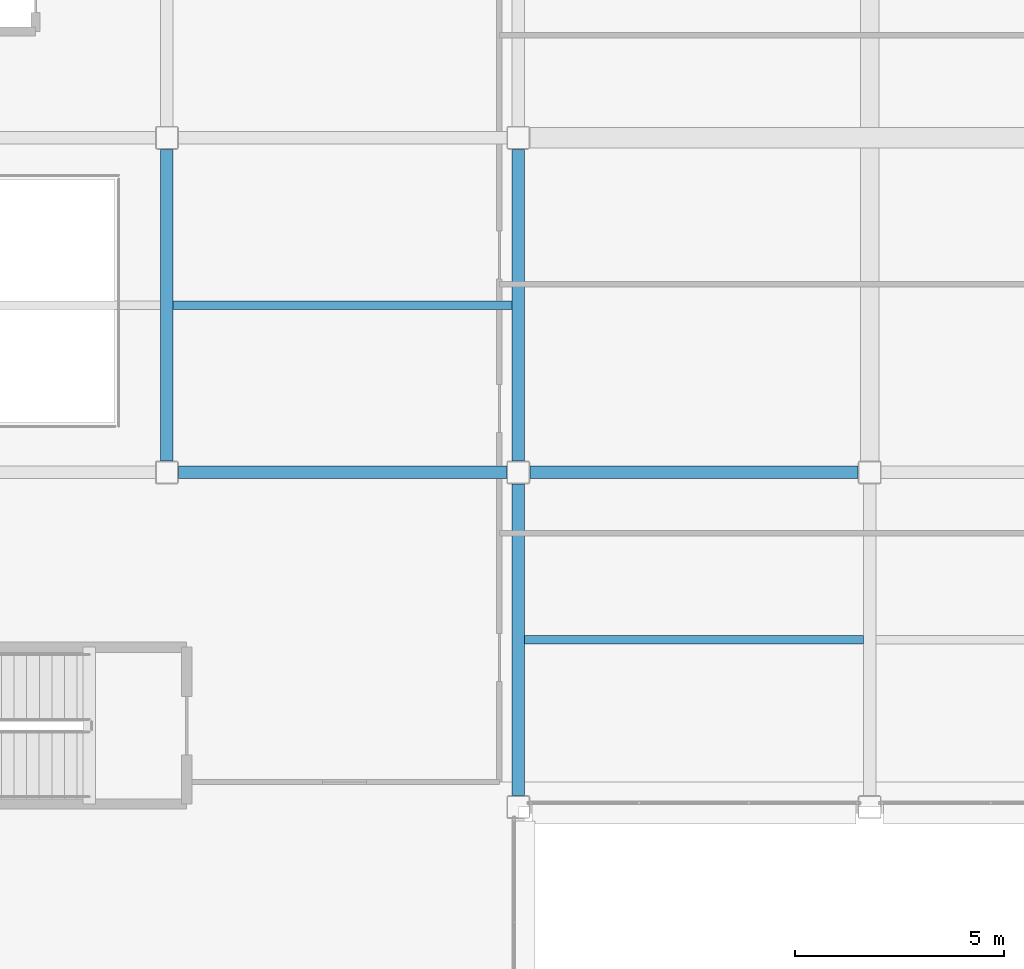
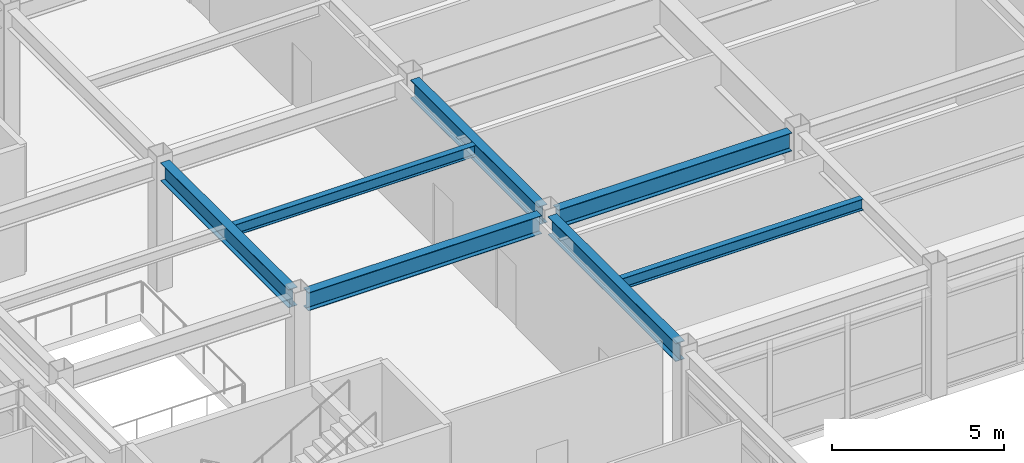
# One storey, part 39 of 154: 7 beams.
"""IFC4 building model written with IfcOpenShell, lengths in metres."""

from ifc_helpers import new_model, si_unit, direction, frame, origin, origin_2d, place, context, subcontext, project, spatial, i_section, extrude, material, material_profile, profile_set, type_object, element, save


model = new_model("IFC4")

# Units and contexts
model_context = context("Model", 3, precision=1e-05, world=origin(), true_north=direction((0.0, 1.0)))
body_context = subcontext(model_context, "Body", "Model", "MODEL_VIEW")
ifc_project = project(units=[si_unit("LENGTHUNIT", "METRE"), si_unit("AREAUNIT", "SQUARE_METRE"), si_unit("VOLUMEUNIT", "CUBIC_METRE"), si_unit("PLANEANGLEUNIT", "RADIAN"), si_unit("MASSUNIT", "GRAM", prefix="KILO")], contexts=[model_context])

# Site, building, storey
site_placement = place(None, origin())
site = spatial("IfcSite", under=ifc_project, at=site_placement, CompositionType="ELEMENT")
building_placement = place(site_placement, origin())
building = spatial("IfcBuilding", under=site, at=building_placement, Name="Kazehara Bluff Congress Hotel", CompositionType="ELEMENT")
storey_placement = place(building_placement, frame((0.0, 0.0, 10.199951171875)))
storey = spatial("IfcBuildingStorey", under=building, at=storey_placement, Name="L02", CompositionType="ELEMENT", Elevation=10.199951171875)

# Beams
ifc_material_1 = material(Name="Steel SN490B", Category="steel")
ifc_material_profile_1 = material_profile(ifc_material_1, i_section(OverallWidth=0.300048828125, OverallDepth=0.64990234375, WebThickness=0.011962890625, FlangeThickness=0.02001953125, FilletRadius=0.012939453125, at=origin_2d()))
ifc_profile_set_1 = profile_set([ifc_material_profile_1], Name="Steel SN490B")
beam_type_1 = type_object("IfcBeamType", Name="TP-G-03", PredefinedType="BEAM", material=ifc_profile_set_1)
for number, where, z_axis, x_axis, name in (
    (1, (67.64990234375, 24.27490234375, 4.235107421875), (0.0, 1.0, 0.0), (-1.0, 0.0, 0.0), "L02 girder G-03 65"),
    (2, (76.050048828125, 16.27490234375, 4.235107421875), (0.0, 1.0, 0.0), (-1.0, 0.0, 0.0), "L02 girder G-03 73"),
    (3, (76.050048828125, 24.27490234375, 4.235107421875), (0.0, 1.0, 0.0), (-1.0, 0.0, 0.0), "L02 girder G-03 74"),
):
    element("IfcBeam", number, at=place(storey_placement, frame(where, z_axis=z_axis, x_axis=x_axis)), inside=storey, type_object=beam_type_1, Name=name, PredefinedType="BEAM", context=body_context, shape_type="SweptSolid", body=[
        extrude(i_section(OverallWidth=0.300048828125, OverallDepth=0.64990234375, WebThickness=0.011962890625, FlangeThickness=0.02001953125, FilletRadius=0.012939453125, at=origin_2d()), origin(), (0.0, 0.0, 1.0), 7.4501953125),
    ])
beam_1_placement = place(storey_placement, frame((67.925048828125, 24.0, 4.235107421875), z_axis=(1.0, 0.0, 0.0), x_axis=(0.0, 1.0, 0.0)))
element("IfcBeam", 4, at=beam_1_placement, inside=storey, type_object=beam_type_1, Name="L02 girder G-03 103", PredefinedType="BEAM", context=body_context, shape_type="SweptSolid", body=[
    extrude(i_section(OverallWidth=0.300048828125, OverallDepth=0.64990234375, WebThickness=0.011962890625, FlangeThickness=0.02001953125, FilletRadius=0.012939453125, at=origin_2d()), origin(), (0.0, 0.0, 1.0), 7.849853515625),
])
beam_2_placement = place(storey_placement, frame((76.324951171875, 24.0, 4.235107421875), z_axis=(1.0, 0.0, 0.0), x_axis=(0.0, 1.0, 0.0)))
element("IfcBeam", 5, at=beam_2_placement, inside=storey, type_object=beam_type_1, Name="L02 girder G-03 104", PredefinedType="BEAM", context=body_context, shape_type="SweptSolid", body=[
    extrude(i_section(OverallWidth=0.300048828125, OverallDepth=0.64990234375, WebThickness=0.011962890625, FlangeThickness=0.02001953125, FilletRadius=0.012939453125, at=origin_2d()), origin(), (0.0, 0.0, 1.0), 7.85009765625),
])
ifc_material_2 = material(Name="Steel SN400B", Category="steel")
ifc_material_profile_2 = material_profile(ifc_material_2, i_section(OverallWidth=0.199951171875, OverallDepth=0.39990234375, WebThickness=0.008056640625, FlangeThickness=0.012939453125, FilletRadius=0.012939453125, at=origin_2d()))
ifc_profile_set_2 = profile_set([ifc_material_profile_2], Name="Steel SN400B")
beam_type_2 = type_object("IfcBeamType", Name="TP-J-03", PredefinedType="JOIST", material=ifc_profile_set_2)
beam_3_placement = place(storey_placement, frame((67.800048828125, 28.0, 4.360107421875), z_axis=(1.0, 0.0, 0.0), x_axis=(0.0, 1.0, 0.0)))
element("IfcBeam", 6, at=beam_3_placement, inside=storey, type_object=beam_type_2, Name="L02 secondary joist J-03 12", PredefinedType="JOIST", context=body_context, shape_type="SweptSolid", body=[
    extrude(i_section(OverallWidth=0.199951171875, OverallDepth=0.39990234375, WebThickness=0.008056640625, FlangeThickness=0.012939453125, FilletRadius=0.012939453125, at=origin_2d()), origin(), (0.0, 0.0, 1.0), 8.099853515625),
])
beam_4_placement = place(storey_placement, frame((76.199951171875, 20.0, 4.360107421875), z_axis=(1.0, 0.0, 0.0), x_axis=(0.0, 1.0, 0.0)))
element("IfcBeam", 7, at=beam_4_placement, inside=storey, type_object=beam_type_2, Name="L02 secondary joist J-03 15", PredefinedType="JOIST", context=body_context, shape_type="SweptSolid", body=[
    extrude(i_section(OverallWidth=0.199951171875, OverallDepth=0.39990234375, WebThickness=0.008056640625, FlangeThickness=0.012939453125, FilletRadius=0.012939453125, at=origin_2d()), origin(), (0.0, 0.0, 1.0), 8.10009765625),
])

save(model, "model.ifc")
